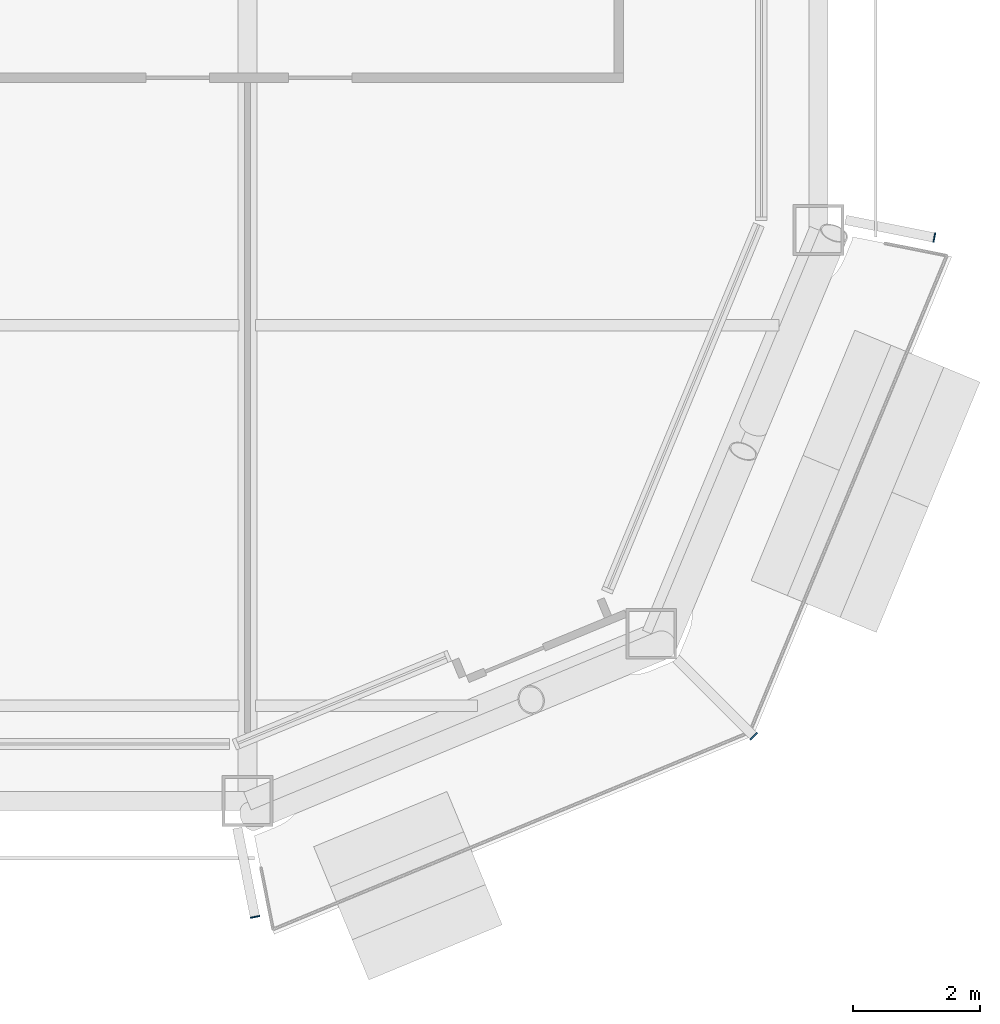
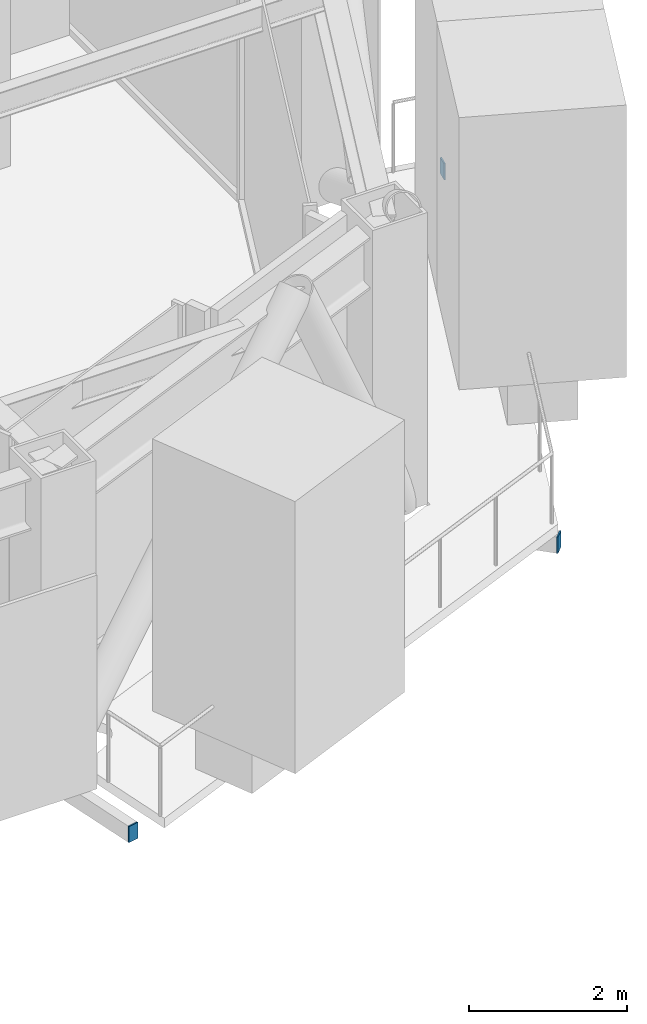
# One storey, part 17 of 23: 3 discrete accessories.
"""IFC4 building model written with IfcOpenShell, lengths in metres."""

import ifcopenshell
import ifcopenshell.guid

model = None  # the IFC model being written
_history = None  # IfcOwnerHistory: only IFC2X3 demands one
_inside = {}  # id of a spatial element -> (the spatial element, [elements in it])
_under = {}  # id of a project, library or spatial element -> (it, [spatial elements below it])
_declared = {}  # id of a project -> (the project, [libraries it declares])
_typed = {}  # id of a type object -> (the type object, [elements of that type])
_made_of = {}  # id of a material, layer set ... -> (it, [elements and type objects made of it])


def new_model(schema):
    """Start an empty IFC model of exactly this schema.

    Asked for "IFC4X3", IfcOpenShell would pick the latest addendum, in which some entities
    have other attributes; the version numbers below select the first issue.
    IFC2X3 requires an IfcOwnerHistory on every rooted entity: one is made here for all.
    """
    global model, _history
    if schema == "IFC4X3":
        model = ifcopenshell.file(schema_version=(4, 3, 0, 0))
    else:
        model = ifcopenshell.file(schema=schema)
    _inside.clear()
    _under.clear()
    _declared.clear()
    _typed.clear()
    _made_of.clear()
    _history = None
    if model.schema == "IFC2X3":
        org = make("IfcOrganization", Name="unknown")
        user = make(
            "IfcPersonAndOrganization",
            ThePerson=make("IfcPerson", FamilyName="unknown"),
            TheOrganization=org,
        )
        app = make(
            "IfcApplication",
            ApplicationDeveloper=org,
            Version="unknown",
            ApplicationFullName="unknown",
            ApplicationIdentifier="unknown",
        )
        _history = make(
            "IfcOwnerHistory",
            OwningUser=user,
            OwningApplication=app,
            ChangeAction="ADDED",
            CreationDate=0,
        )
    return model


def make(cls, **values):
    """One entity of the class cls with the attributes given. An attribute that is None is left unset."""
    return model.create_entity(
        cls, **{name: value for name, value in values.items() if value is not None}
    )


def rooted(cls, **values):
    """An entity with a GlobalId (a new one), such as an element, a storey or a relation."""
    return make(cls, GlobalId=ifcopenshell.guid.new(), OwnerHistory=_history, **values)


def si_unit(unit_type, name, prefix=None):
    """IfcSIUnit, for example si_unit("LENGTHUNIT", "METRE", prefix="MILLI")."""
    return make("IfcSIUnit", UnitType=unit_type, Prefix=prefix, Name=name)


def assignment(units):
    """IfcUnitAssignment: the units of a project."""
    return None if units is None else make("IfcUnitAssignment", Units=units)


def point(xyz):
    """IfcCartesianPoint."""
    return None if xyz is None else make("IfcCartesianPoint", Coordinates=xyz)


def direction(xyz):
    """IfcDirection."""
    return None if xyz is None else make("IfcDirection", DirectionRatios=xyz)


def frame(location, z_axis=None, x_axis=None):
    """IfcAxis2Placement3D, a coordinate frame: its origin and axes. An axis left out is left unset."""
    return make(
        "IfcAxis2Placement3D",
        Location=point(location),
        Axis=direction(z_axis),
        RefDirection=direction(x_axis),
    )


def frame_2d(location, x_axis=None):
    """IfcAxis2Placement2D, a coordinate frame in the plane: its origin and x axis."""
    return make(
        "IfcAxis2Placement2D", Location=point(location), RefDirection=direction(x_axis)
    )


def origin():
    """The frame at (0, 0, 0) with its axes left unset."""
    return frame((0.0, 0.0, 0.0))


def origin_2d():
    """The frame at (0, 0) in the plane with its x axis left unset."""
    return frame_2d((0.0, 0.0))


def place(relative_to, where):
    """IfcLocalPlacement: puts the frame where relative to a parent placement (None: the world)."""
    return make(
        "IfcLocalPlacement", PlacementRelTo=relative_to, RelativePlacement=where
    )


def context(
    kind, dimensions, precision=None, world=None, true_north=None, identifier=None
):
    """IfcGeometricRepresentationContext, for example the 3D "Model" context."""
    return make(
        "IfcGeometricRepresentationContext",
        ContextIdentifier=identifier,
        ContextType=kind,
        CoordinateSpaceDimension=dimensions,
        Precision=precision,
        WorldCoordinateSystem=world,
        TrueNorth=true_north,
    )


def subcontext(parent, identifier, kind, view, scale=None):
    """IfcGeometricRepresentationSubContext, for example "Body" below "Model"."""
    return make(
        "IfcGeometricRepresentationSubContext",
        ContextIdentifier=identifier,
        ContextType=kind,
        ParentContext=parent,
        TargetScale=scale,
        TargetView=view,
    )


def project(units=None, contexts=None):
    """IfcProject with its units and contexts."""
    return rooted(
        "IfcProject",
        Name="project",
        RepresentationContexts=contexts,
        UnitsInContext=assignment(units),
    )


def spatial(cls, under=None, at=None, **own):
    """A site, building, storey or space (cls), placed at a placement, below another one or the project."""
    s = rooted(cls, ObjectPlacement=at, **own)
    if under is not None:
        _under.setdefault(under.id(), (under, []))[1].append(s)
    return s


def profile(cls, at=None, kind="AREA", **sizes):
    """A parametric profile (cls). Its sizes go by their IFC names, for example OverallWidth=200.0."""
    return make(cls, ProfileType=kind, Position=at, **sizes)


def rectangle(**sizes):
    """IfcRectangleProfileDef."""
    return profile("IfcRectangleProfileDef", **sizes)


def extrude(swept, where, along, depth):
    """IfcExtrudedAreaSolid: the profile swept, set in the frame where, extruded along a direction by depth."""
    return make(
        "IfcExtrudedAreaSolid",
        SweptArea=swept,
        Position=where,
        ExtrudedDirection=direction(along),
        Depth=depth,
    )


def shape(context_of_items, identifier, shape_type, items):
    """IfcShapeRepresentation: the items that make up one representation, for example the "Body"."""
    return make(
        "IfcShapeRepresentation",
        ContextOfItems=context_of_items,
        RepresentationIdentifier=identifier,
        RepresentationType=shape_type,
        Items=items,
    )


def material(Name=None, Category=None):
    """IfcMaterial."""
    return make("IfcMaterial", Name=Name, Category=Category)


def layer(
    of_material, thickness, ventilated=None, Name=None, Category=None, Priority=None
):
    """IfcMaterialLayer: one layer of a wall or slab, of a material (None: an air gap)."""
    return make(
        "IfcMaterialLayer",
        Material=of_material,
        LayerThickness=thickness,
        IsVentilated=ventilated,
        Name=Name,
        Category=Category,
        Priority=Priority,
    )


def layer_set(layers, Name=None):
    """IfcMaterialLayerSet."""
    return make("IfcMaterialLayerSet", MaterialLayers=layers, LayerSetName=Name)


def made_of(thing, what):
    """Note that an element or type object is made of a material, layer set ...; save() writes the relation."""
    if what is not None:
        _made_of.setdefault(what.id(), (what, []))[1].append(thing)
    return thing


def type_object(cls, material=None, **own):
    """A type object (cls), such as IfcWallType, which elements share."""
    return made_of(rooted(cls, **own), material)


def element(
    cls,
    number,
    at=None,
    inside=None,
    cuts=None,
    type_object=None,
    material=None,
    context=None,
    identifier="Body",
    shape_type=None,
    held_by="IfcProductDefinitionShape",
    body=None,
    shapes=None,
    **own,
):
    """One element of the class cls, such as IfcWall. Its Tag is "e" and its number.

    at: its placement. inside: the storey or other place that contains it. cuts: it is an
    opening in that element (IfcRelVoidsElement). A single representation is given by context,
    identifier, shape_type and body (its items); several are given by shapes. held_by: the class
    of the entity that holds the representations. save() writes the other relations.
    """
    e = rooted(cls, Tag="e%d" % number, ObjectPlacement=at, **own)
    if body is not None:
        shapes = [shape(context, identifier, shape_type, body)]
    if shapes is not None:
        e.Representation = make(held_by, Representations=shapes)
    if inside is not None:
        _inside.setdefault(inside.id(), (inside, []))[1].append(e)
    if cuts is not None:
        rooted(
            "IfcRelVoidsElement", RelatingBuildingElement=cuts, RelatedOpeningElement=e
        )
    if type_object is not None:
        _typed.setdefault(type_object.id(), (type_object, []))[1].append(e)
    return made_of(e, material)


def aggregate(whole, parts):
    """IfcRelAggregates: a whole, such as a stair, and the parts it consists of."""
    return rooted("IfcRelAggregates", RelatingObject=whole, RelatedObjects=parts)


def save(model, path):
    """Write the relations noted so far, then the file.

    IfcRelAggregates (storeys below a building ...), IfcRelContainedInSpatialStructure (elements
    in a storey), IfcRelDefinesByType, IfcRelAssociatesMaterial and IfcRelDeclares: one each for
    every whole, place, type object, material and project.
    """
    for whole, parts in _under.values():
        aggregate(whole, parts)
    for where, things in _inside.values():
        rooted(
            "IfcRelContainedInSpatialStructure",
            RelatedElements=things,
            RelatingStructure=where,
        )
    for kind, things in _typed.values():
        rooted("IfcRelDefinesByType", RelatedObjects=things, RelatingType=kind)
    for what, things in _made_of.values():
        rooted("IfcRelAssociatesMaterial", RelatedObjects=things, RelatingMaterial=what)
    for by, libraries in _declared.values():
        rooted("IfcRelDeclares", RelatingContext=by, RelatedDefinitions=libraries)
    model.write(path)


model = new_model("IFC4")

# Units and contexts
model_context = context("Model", 3, precision=1e-05, world=origin(), true_north=direction((0.0, 1.0)))
body_context = subcontext(model_context, "Body", "Model", "MODEL_VIEW")
ifc_project = project(units=[si_unit("LENGTHUNIT", "METRE"), si_unit("AREAUNIT", "SQUARE_METRE"), si_unit("VOLUMEUNIT", "CUBIC_METRE"), si_unit("PLANEANGLEUNIT", "RADIAN"), si_unit("MASSUNIT", "GRAM", prefix="KILO")], contexts=[model_context])

# Site, building, storey
site_placement = place(None, origin())
site = spatial("IfcSite", under=ifc_project, at=site_placement, CompositionType="ELEMENT")
building_placement = place(site_placement, origin())
building = spatial("IfcBuilding", under=site, at=building_placement, Name="Siwar Civic Tower", CompositionType="ELEMENT")
storey_placement = place(building_placement, frame((0.0, 0.0, 237.699951171875)))
storey = spatial("IfcBuildingStorey", under=building, at=storey_placement, Name="L51", CompositionType="ELEMENT", Elevation=237.699951171875)

# Discrete accessories
ifc_material = material(Name="Steel S355", Category="steel")
ifc_layer = layer(ifc_material, 0.02001953125)
ifc_layer_set = layer_set([ifc_layer], Name="Steel S355")
discrete_accessory_type = type_object("IfcDiscreteAccessoryType", Name="STR-END-CAP", PredefinedType="USERDEFINED", material=ifc_layer_set)
for number, where, z_axis, x_axis, name in (
    (1, (18.118408203125, -28.8251953125, -0.39990234375), (0.0, 0.0, 1.0), (0.195090321811, -0.980785280444, 0.0), "End cap plate Balcony cantilever beam SE 1"),
    (2, (25.978271484375, -25.978271484375, -0.39990234375), (0.0, 0.0, 1.0), (0.707106781187, -0.707106781187, 0.0), "End cap plate Balcony cantilever beam SE 2"),
    (3, (28.8251953125, -18.118408203125, -0.39990234375), (0.0, 0.0, 1.0), (0.980785280444, -0.195090321811, 0.0), "End cap plate Balcony cantilever beam SE 3"),
):
    element("IfcDiscreteAccessory", number, at=place(storey_placement, frame(where, z_axis=z_axis, x_axis=x_axis)), inside=storey, type_object=discrete_accessory_type, Name=name, ObjectType="END CAP PLATE", PredefinedType="USERDEFINED", context=body_context, shape_type="SweptSolid", body=[
        extrude(rectangle(XDim=0.02001953125, YDim=0.14990234375, at=origin_2d()), origin(), (0.0, 0.0, 1.0), 0.25),
    ])

save(model, "model.ifc")
